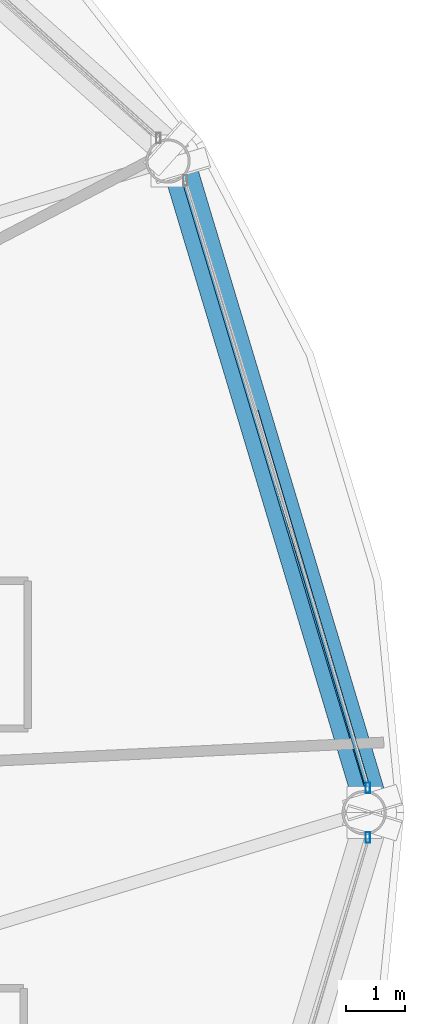
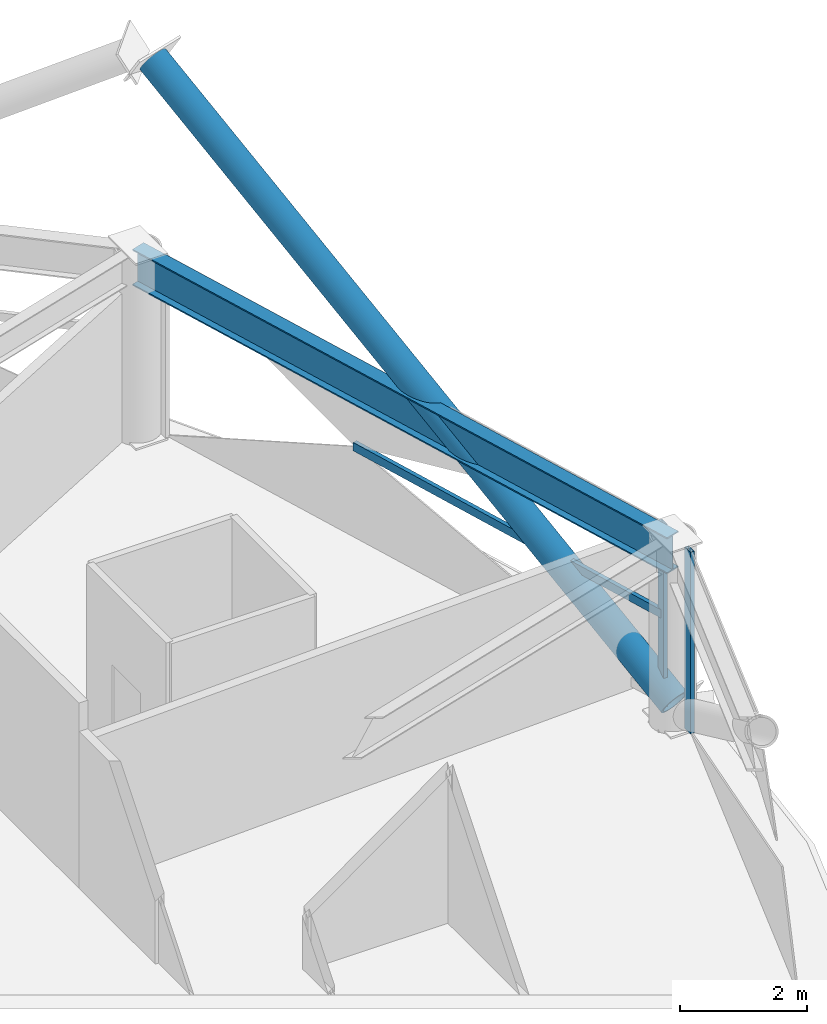
# One storey, part 12 of 29: 4 members, 1 beam, 2 elements without a shape of their own.
"""IFC4 building model written with IfcOpenShell, lengths in metres."""

from ifc_helpers import new_model, si_unit, direction, frame, origin, origin_2d, place, context, subcontext, project, spatial, hollow_rectangle, hollow_circle, i_section, extrude, material, layer, layer_set, material_profile, profile_set, type_object, element, aggregate, save


model = new_model("IFC4")

# Units and contexts
model_context = context("Model", 3, precision=1e-05, world=origin(), true_north=direction((0.0, 1.0)))
body_context = subcontext(model_context, "Body", "Model", "MODEL_VIEW")
ifc_project = project(units=[si_unit("LENGTHUNIT", "METRE"), si_unit("AREAUNIT", "SQUARE_METRE"), si_unit("VOLUMEUNIT", "CUBIC_METRE"), si_unit("PLANEANGLEUNIT", "RADIAN"), si_unit("MASSUNIT", "GRAM", prefix="KILO")], contexts=[model_context])

# Site, building, storey
site_placement = place(None, origin())
site = spatial("IfcSite", under=ifc_project, at=site_placement, CompositionType="ELEMENT")
building_placement = place(site_placement, origin())
building = spatial("IfcBuilding", under=site, at=building_placement, Name="Vantalir Tower", CompositionType="ELEMENT")
storey_placement = place(building_placement, frame((0.0, 0.0, 149.699951171875)))
storey = spatial("IfcBuildingStorey", under=building, at=storey_placement, Name="L37", CompositionType="ELEMENT", Elevation=149.699951171875)

# Beam
ifc_material_1 = material(Name="Steel S460", Category="steel")
ifc_material_profile_1 = material_profile(ifc_material_1, i_section(OverallWidth=0.256103515625, OverallDepth=0.693115234375, WebThickness=0.014404296875, FlangeThickness=0.023681640625, at=origin_2d()), Name="Steel S460")
ifc_profile_set_1 = profile_set([ifc_material_profile_1], Name="Steel S460")
beam_type = type_object("IfcBeamType", Name="BM-RG-686x254", PredefinedType="USERDEFINED", material=ifc_profile_set_1)
beam_placement = place(storey_placement, frame((56.282958984375, 25.0, 3.22412109375), z_axis=(-0.288135047515, 0.957589783986, 0.0), x_axis=(-0.957589783986, -0.288135047515, 0.0)))
element("IfcBeam", 1, at=beam_placement, inside=storey, type_object=beam_type, Name="L37 Circumferential Ring Girder 01", ObjectType="GIRDER", PredefinedType="USERDEFINED", context=body_context, shape_type="SweptSolid", body=[
    extrude(i_section(OverallWidth=0.256103515625, OverallDepth=0.693115234375, WebThickness=0.014404296875, FlangeThickness=0.023681640625, at=origin_2d()), origin(), (0.0, 0.0, 1.0), 11.522705078125),
])

# Curtain wall, member
ifc_material_2 = material(Name="Champagne-silver PVDF aluminium and double-silver Low-E glass", Category="aluminium")
ifc_layer = layer(ifc_material_2, 0.199951171875)
ifc_layer_set = layer_set([ifc_layer], Name="Champagne-silver PVDF aluminium and double-silver Low-E glass")
curtain_wall_type = type_object("IfcCurtainWallType", Name="CW-DIAMOND-Z2", PredefinedType="USERDEFINED", material=ifc_layer_set)
curtain_wall_1_placement = place(storey_placement, origin())
curtain_wall_1 = element("IfcCurtainWall", 2, at=curtain_wall_1_placement, inside=storey, type_object=curtain_wall_type, Name="L37 Quilted Pyramid-Diamond Curtain Wall S01", ObjectType="UNITISED CURTAIN WALL", PredefinedType="USERDEFINED")
ifc_material_3 = material(Name="Champagne-silver PVDF aluminium 6063-T6", Category="aluminium")
ifc_material_profile_2 = material_profile(ifc_material_3, hollow_rectangle(XDim=0.074951171875, YDim=0.179931640625, WallThickness=0.00390625, at=origin_2d()), Name="Champagne-silver PVDF aluminium 6063-T6")
ifc_profile_set_2 = profile_set([ifc_material_profile_2], Name="Champagne-silver PVDF aluminium 6063-T6")
member_type_1 = type_object("IfcMemberType", Name="CWM-180x75", PredefinedType="MULLION", material=ifc_profile_set_2)
member_1_placement = place(storey_placement, frame((56.345947265625, 25.4208984375, 0.045166015625), z_axis=(0.0, 0.0, 1.0), x_axis=(1.0, 0.0, 0.0)))
member_1 = element("IfcMember", 3, at=member_1_placement, type_object=member_type_1, Name="CW-L37-S01 Mullion 1", PredefinedType="MULLION", context=body_context, shape_type="SweptSolid", body=[
    extrude(hollow_rectangle(XDim=0.074951171875, YDim=0.179931640625, WallThickness=0.00390625, at=origin_2d()), origin(), (0.0, 0.0, 1.0), 3.47998046875),
])

curtain_wall_2_placement = place(storey_placement, origin())
curtain_wall_2 = element("IfcCurtainWall", 4, at=curtain_wall_2_placement, inside=storey, type_object=curtain_wall_type, Name="L37 Quilted Pyramid-Diamond Curtain Wall S12", ObjectType="UNITISED CURTAIN WALL", PredefinedType="USERDEFINED")
member_2_placement = place(storey_placement, frame((56.345947265625, 24.5791015625, 0.045166015625), z_axis=(0.0, 0.0, 1.0), x_axis=(1.0, 0.0, 0.0)))
member_2 = element("IfcMember", 5, at=member_2_placement, type_object=member_type_1, Name="CW-L37-S12 Mullion 2", PredefinedType="MULLION", context=body_context, shape_type="SweptSolid", body=[
    extrude(hollow_rectangle(XDim=0.074951171875, YDim=0.179931640625, WallThickness=0.00390625, at=origin_2d()), origin(), (0.0, 0.0, 1.0), 3.47998046875),
])
aggregate(curtain_wall_2, [member_2])

# Member
ifc_material_profile_3 = material_profile(ifc_material_3, hollow_rectangle(XDim=0.074951171875, YDim=0.159912109375, WallThickness=0.00390625, at=origin_2d()), Name="Champagne-silver PVDF aluminium 6063-T6")
ifc_profile_set_3 = profile_set([ifc_material_profile_3], Name="Champagne-silver PVDF aluminium 6063-T6")
member_type_2 = type_object("IfcMemberType", Name="CWT-160x75", PredefinedType="USERDEFINED", material=ifc_profile_set_3)
member_3_placement = place(storey_placement, frame((56.345947265625, 25.4208984375, 1.78515625), z_axis=(-0.284390360169, 0.958708570444, 0.0), x_axis=(-0.958708570444, -0.284390360169, 0.0)))
member_3 = element("IfcMember", 6, at=member_3_placement, type_object=member_type_2, Name="CW-L37-S01 Pyramid Fold Ridge Transom", ObjectType="TRANSOM", PredefinedType="USERDEFINED", context=body_context, shape_type="SweptSolid", body=[
    extrude(hollow_rectangle(XDim=0.074951171875, YDim=0.159912109375, WallThickness=0.00390625, at=origin_2d()), origin(), (0.0, 0.0, 1.0), 6.659912109375),
])

aggregate(curtain_wall_1, [member_1, member_3])

ifc_material_profile_4 = material_profile(ifc_material_1, hollow_circle(Radius=0.260009765625, WallThickness=0.0380859375, at=origin_2d()), Name="Steel S460")
ifc_profile_set_4 = profile_set([ifc_material_profile_4], Name="Steel S460")
member_type_3 = type_object("IfcMemberType", Name="MEM-DB-520x38", PredefinedType="BRACE", material=ifc_profile_set_4)
member_4_placement = place(storey_placement, frame((56.4189453125, 25.178955078125, 0.195068359375), z_axis=(-0.245106735484, 0.815322246556, 0.524568701403), x_axis=(-0.957661235387, -0.287897478692, 0.0)))
element("IfcMember", 7, at=member_4_placement, inside=storey, type_object=member_type_3, Name="L37 Perimeter S460 Diagrid Brace R01L", PredefinedType="BRACE", context=body_context, shape_type="SweptSolid", body=[
    extrude(hollow_circle(Radius=0.260009765625, WallThickness=0.0380859375, at=origin_2d()), origin(), (0.0, 0.0, 1.0), 13.210693359375),
])

save(model, "model.ifc")
